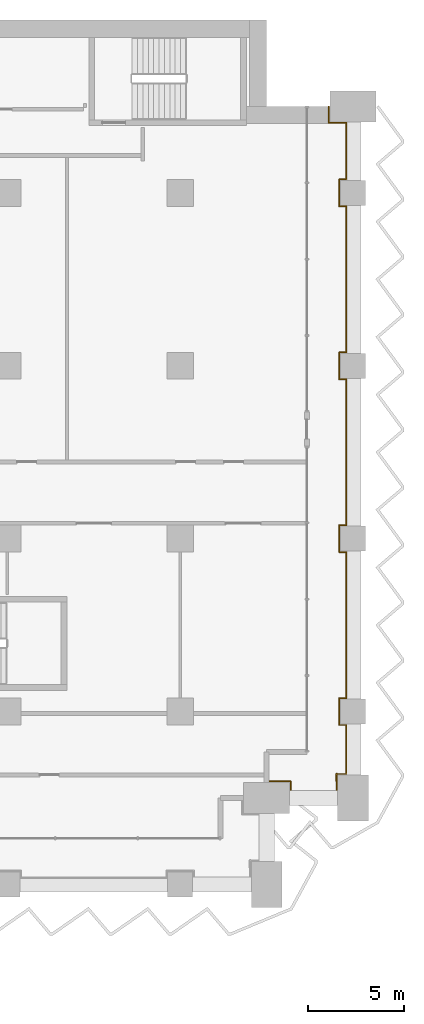
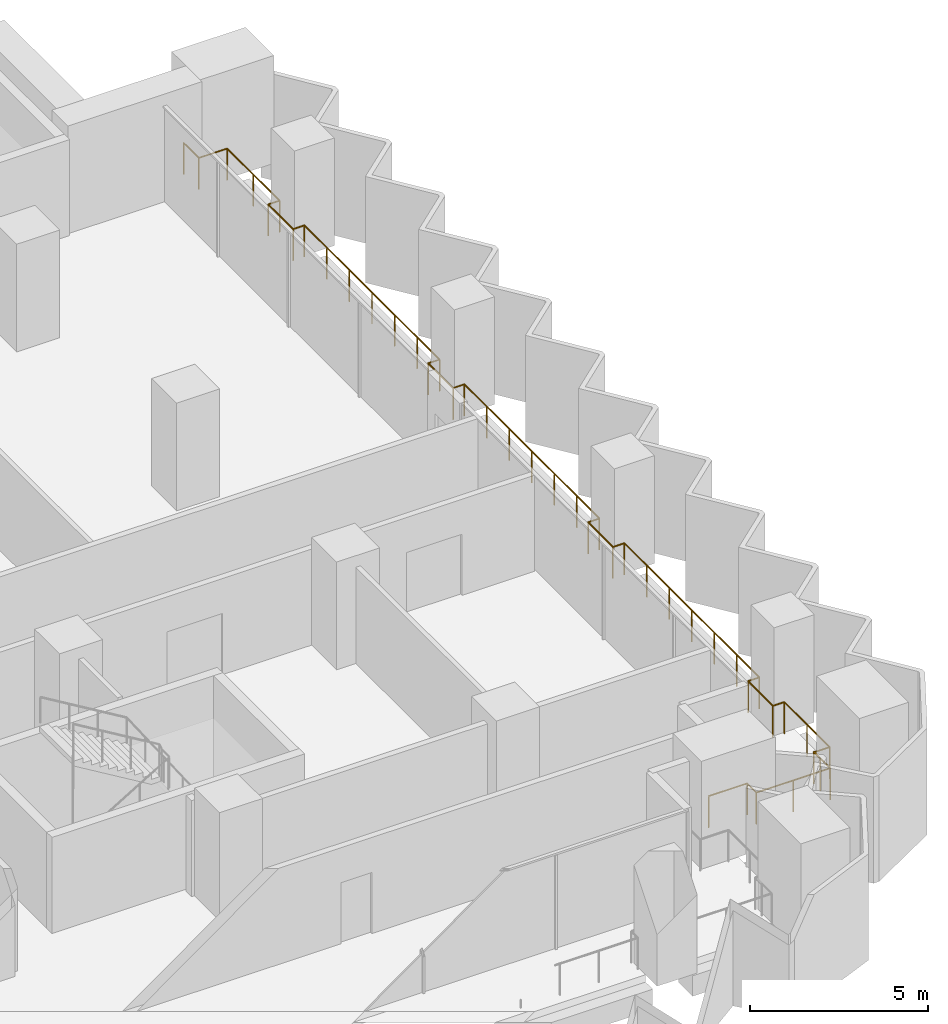
# One storey, part 29 of 29: 1 railing.
"""IFC4 building model written with IfcOpenShell, lengths in metres."""

from ifc_helpers import new_model, si_unit, direction, frame, origin, origin_2d, place, context, subcontext, project, spatial, circle, extrude, material, type_object, element, save


model = new_model("IFC4")

# Units and contexts
model_context = context("Model", 3, precision=1e-05, world=origin(), true_north=direction((0.0, 1.0)))
body_context = subcontext(model_context, "Body", "Model", "MODEL_VIEW")
ifc_project = project(units=[si_unit("LENGTHUNIT", "METRE"), si_unit("AREAUNIT", "SQUARE_METRE"), si_unit("VOLUMEUNIT", "CUBIC_METRE"), si_unit("PLANEANGLEUNIT", "RADIAN"), si_unit("MASSUNIT", "GRAM", prefix="KILO")], contexts=[model_context])

# Site, building, storey
site_placement = place(None, origin())
site = spatial("IfcSite", under=ifc_project, at=site_placement, CompositionType="ELEMENT")
building_placement = place(site_placement, origin())
building = spatial("IfcBuilding", under=site, at=building_placement, Name="Hunhe Ridgeline Campus", CompositionType="ELEMENT")
storey_placement = place(building_placement, frame((0.0, 0.0, 54.300048828125)))
storey = spatial("IfcBuildingStorey", under=building, at=storey_placement, Name="L12", CompositionType="ELEMENT", Elevation=54.300048828125)

# Railing
ifc_material = material(Name="Steel Q355", Category="steel")
railing_type = type_object("IfcRailingType", Name="Loggia guard 1100 Steel Q355", PredefinedType="GUARDRAIL", material=ifc_material)
railing_placement = place(storey_placement, frame((94.5, 59.3701171875, 0.0)))
element("IfcRailing", 1, at=railing_placement, inside=storey, type_object=railing_type, Name="Loggia guard 3", PredefinedType="GUARDRAIL", context=body_context, shape_type="SweptSolid", body=[
    extrude(circle(Radius=0.02392578125, at=origin_2d()), frame((0.0, 0.0, 1.076171875), z_axis=(1.0, 0.0, 0.0), x_axis=(0.0, 1.0, 0.0)), (0.0, 0.0, 1.0), 1.25),
    extrude(circle(Radius=0.02392578125, at=origin_2d()), frame((1.25, 0.0, 1.076171875), z_axis=(0.0, -1.0, 0.0), x_axis=(1.0, 0.0, 0.0)), (0.0, 0.0, 1.0), 0.52001953125),
    extrude(circle(Radius=0.02392578125, at=origin_2d()), frame((1.25, -0.52001953125, 1.076171875), z_axis=(1.0, 0.0, 0.0), x_axis=(0.0, 1.0, 0.0)), (0.0, 0.0, 1.0), 2.39990234375),
    extrude(circle(Radius=0.02392578125, at=origin_2d()), frame((3.64990234375, -0.52001953125, 1.076171875), z_axis=(0.0, 1.0, 0.0), x_axis=(-1.0, 0.0, 0.0)), (0.0, 0.0, 1.0), 0.919921875),
    extrude(circle(Radius=0.02392578125, at=origin_2d()), frame((3.64990234375, 0.39990234375, 1.076171875), z_axis=(-0.049998438503, -0.998749295943, 0.0), x_axis=(0.998749295943, -0.049998438503, 0.0)), (0.0, 0.0, 1.0), 0.400390625),
    extrude(circle(Radius=0.02392578125, at=origin_2d()), frame((3.6298828125, 0.0, 1.076171875), z_axis=(0.0, 1.0, 0.0), x_axis=(-1.0, 0.0, 0.0)), (0.0, 0.0, 1.0), 0.3798828125),
    extrude(circle(Radius=0.02392578125, at=origin_2d()), frame((3.6298828125, 0.3798828125, 1.076171875), z_axis=(1.0, 0.0, 0.0), x_axis=(0.0, 1.0, 0.0)), (0.0, 0.0, 1.0), 0.52001953125),
    extrude(circle(Radius=0.02392578125, at=origin_2d()), frame((4.14990234375, 0.3798828125, 1.076171875), z_axis=(0.0, 1.0, 0.0), x_axis=(-1.0, 0.0, 0.0)), (0.0, 0.0, 1.0), 2.550048828125),
    extrude(circle(Radius=0.02392578125, at=origin_2d()), frame((4.14990234375, 2.929931640625, 1.076171875), z_axis=(-1.0, 0.0, 0.0), x_axis=(0.0, -1.0, 0.0)), (0.0, 0.0, 1.0), 0.369873046875),
    extrude(circle(Radius=0.02392578125, at=origin_2d()), frame((3.780029296875, 2.929931640625, 1.076171875), z_axis=(0.0, 1.0, 0.0), x_axis=(-1.0, 0.0, 0.0)), (0.0, 0.0, 1.0), 1.39990234375),
    extrude(circle(Radius=0.02392578125, at=origin_2d()), frame((3.780029296875, 4.329833984375, 1.076171875), z_axis=(1.0, 0.0, 0.0), x_axis=(0.0, 1.0, 0.0)), (0.0, 0.0, 1.0), 0.369873046875),
    extrude(circle(Radius=0.02392578125, at=origin_2d()), frame((4.14990234375, 4.329833984375, 1.076171875), z_axis=(0.0, 1.0, 0.0), x_axis=(-1.0, 0.0, 0.0)), (0.0, 0.0, 1.0), 7.60009765625),
    extrude(circle(Radius=0.02392578125, at=origin_2d()), frame((4.14990234375, 11.929931640625, 1.076171875), z_axis=(-1.0, 0.0, 0.0), x_axis=(0.0, -1.0, 0.0)), (0.0, 0.0, 1.0), 0.369873046875),
    extrude(circle(Radius=0.02392578125, at=origin_2d()), frame((3.780029296875, 11.929931640625, 1.076171875), z_axis=(0.0, 1.0, 0.0), x_axis=(-1.0, 0.0, 0.0)), (0.0, 0.0, 1.0), 1.39990234375),
    extrude(circle(Radius=0.02392578125, at=origin_2d()), frame((3.780029296875, 13.329833984375, 1.076171875), z_axis=(1.0, 0.0, 0.0), x_axis=(0.0, 1.0, 0.0)), (0.0, 0.0, 1.0), 0.369873046875),
    extrude(circle(Radius=0.02392578125, at=origin_2d()), frame((4.14990234375, 13.329833984375, 1.076171875), z_axis=(0.0, 1.0, 0.0), x_axis=(-1.0, 0.0, 0.0)), (0.0, 0.0, 1.0), 7.60009765625),
    extrude(circle(Radius=0.02392578125, at=origin_2d()), frame((4.14990234375, 20.929931640625, 1.076171875), z_axis=(-1.0, 0.0, 0.0), x_axis=(0.0, -1.0, 0.0)), (0.0, 0.0, 1.0), 0.369873046875),
    extrude(circle(Radius=0.02392578125, at=origin_2d()), frame((3.780029296875, 20.929931640625, 1.076171875), z_axis=(0.0, 1.0, 0.0), x_axis=(-1.0, 0.0, 0.0)), (0.0, 0.0, 1.0), 1.39990234375),
    extrude(circle(Radius=0.02392578125, at=origin_2d()), frame((3.780029296875, 22.329833984375, 1.076171875), z_axis=(1.0, 0.0, 0.0), x_axis=(0.0, 1.0, 0.0)), (0.0, 0.0, 1.0), 0.369873046875),
    extrude(circle(Radius=0.02392578125, at=origin_2d()), frame((4.14990234375, 22.329833984375, 1.076171875), z_axis=(0.0, 1.0, 0.0), x_axis=(-1.0, 0.0, 0.0)), (0.0, 0.0, 1.0), 7.60009765625),
    extrude(circle(Radius=0.02392578125, at=origin_2d()), frame((4.14990234375, 29.929931640625, 1.076171875), z_axis=(-1.0, 0.0, 0.0), x_axis=(0.0, -1.0, 0.0)), (0.0, 0.0, 1.0), 0.369873046875),
    extrude(circle(Radius=0.02392578125, at=origin_2d()), frame((3.780029296875, 29.929931640625, 1.076171875), z_axis=(0.0, 1.0, 0.0), x_axis=(-1.0, 0.0, 0.0)), (0.0, 0.0, 1.0), 1.39990234375),
    extrude(circle(Radius=0.02392578125, at=origin_2d()), frame((3.780029296875, 31.329833984375, 1.076171875), z_axis=(1.0, 0.0, 0.0), x_axis=(0.0, 1.0, 0.0)), (0.0, 0.0, 1.0), 0.369873046875),
    extrude(circle(Radius=0.02392578125, at=origin_2d()), frame((4.14990234375, 31.329833984375, 1.076171875), z_axis=(0.0, 1.0, 0.0), x_axis=(-1.0, 0.0, 0.0)), (0.0, 0.0, 1.0), 2.949951171875),
    extrude(circle(Radius=0.02392578125, at=origin_2d()), frame((4.14990234375, 34.27978515625, 1.076171875), z_axis=(-1.0, 0.0, 0.0), x_axis=(0.0, -1.0, 0.0)), (0.0, 0.0, 1.0), 0.919921875),
    extrude(circle(Radius=0.02392578125, at=origin_2d()), frame((3.22998046875, 34.27978515625, 1.076171875), z_axis=(0.0, 1.0, 0.0), x_axis=(-1.0, 0.0, 0.0)), (0.0, 0.0, 1.0), 0.85009765625),
    extrude(circle(Radius=0.02099609375, at=origin_2d()), origin(), (0.0, 0.0, 1.0), 1.052001953125),
    extrude(circle(Radius=0.02099609375, at=origin_2d()), frame((1.25, 0.0, 0.0)), (0.0, 0.0, 1.0), 1.052001953125),
    extrude(circle(Radius=0.02099609375, at=origin_2d()), frame((1.25, -0.52001953125, 0.0)), (0.0, 0.0, 1.0), 1.052001953125),
    extrude(circle(Radius=0.02099609375, at=origin_2d()), frame((2.449951171875, -0.52001953125, 0.0)), (0.0, 0.0, 1.0), 1.052001953125),
    extrude(circle(Radius=0.02099609375, at=origin_2d()), frame((3.64990234375, -0.52001953125, 0.0)), (0.0, 0.0, 1.0), 1.052001953125),
    extrude(circle(Radius=0.02099609375, at=origin_2d()), frame((3.64990234375, 0.39990234375, 0.0)), (0.0, 0.0, 1.0), 1.052001953125),
    extrude(circle(Radius=0.02099609375, at=origin_2d()), frame((3.6298828125, 0.0, 0.0)), (0.0, 0.0, 1.0), 1.052001953125),
    extrude(circle(Radius=0.02099609375, at=origin_2d()), frame((3.6298828125, 0.3798828125, 0.0)), (0.0, 0.0, 1.0), 1.052001953125),
    extrude(circle(Radius=0.02099609375, at=origin_2d()), frame((4.14990234375, 0.3798828125, 0.0)), (0.0, 0.0, 1.0), 1.052001953125),
    extrude(circle(Radius=0.02099609375, at=origin_2d()), frame((4.14990234375, 1.65478515625, 0.0)), (0.0, 0.0, 1.0), 1.052001953125),
    extrude(circle(Radius=0.02099609375, at=origin_2d()), frame((4.14990234375, 2.929931640625, 0.0)), (0.0, 0.0, 1.0), 1.052001953125),
    extrude(circle(Radius=0.02099609375, at=origin_2d()), frame((3.780029296875, 2.929931640625, 0.0)), (0.0, 0.0, 1.0), 1.052001953125),
    extrude(circle(Radius=0.02099609375, at=origin_2d()), frame((3.780029296875, 4.329833984375, 0.0)), (0.0, 0.0, 1.0), 1.052001953125),
    extrude(circle(Radius=0.02099609375, at=origin_2d()), frame((4.14990234375, 4.329833984375, 0.0)), (0.0, 0.0, 1.0), 1.052001953125),
    extrude(circle(Radius=0.02099609375, at=origin_2d()), frame((4.14990234375, 5.596435546875, 0.0)), (0.0, 0.0, 1.0), 1.052001953125),
    extrude(circle(Radius=0.02099609375, at=origin_2d()), frame((4.14990234375, 6.86328125, 0.0)), (0.0, 0.0, 1.0), 1.052001953125),
    extrude(circle(Radius=0.02099609375, at=origin_2d()), frame((4.14990234375, 8.1298828125, 0.0)), (0.0, 0.0, 1.0), 1.052001953125),
    extrude(circle(Radius=0.02099609375, at=origin_2d()), frame((4.14990234375, 9.396484375, 0.0)), (0.0, 0.0, 1.0), 1.052001953125),
    extrude(circle(Radius=0.02099609375, at=origin_2d()), frame((4.14990234375, 10.663330078125, 0.0)), (0.0, 0.0, 1.0), 1.052001953125),
    extrude(circle(Radius=0.02099609375, at=origin_2d()), frame((4.14990234375, 11.929931640625, 0.0)), (0.0, 0.0, 1.0), 1.052001953125),
    extrude(circle(Radius=0.02099609375, at=origin_2d()), frame((3.780029296875, 11.929931640625, 0.0)), (0.0, 0.0, 1.0), 1.052001953125),
    extrude(circle(Radius=0.02099609375, at=origin_2d()), frame((3.780029296875, 13.329833984375, 0.0)), (0.0, 0.0, 1.0), 1.052001953125),
    extrude(circle(Radius=0.02099609375, at=origin_2d()), frame((4.14990234375, 13.329833984375, 0.0)), (0.0, 0.0, 1.0), 1.052001953125),
    extrude(circle(Radius=0.02099609375, at=origin_2d()), frame((4.14990234375, 14.596435546875, 0.0)), (0.0, 0.0, 1.0), 1.052001953125),
    extrude(circle(Radius=0.02099609375, at=origin_2d()), frame((4.14990234375, 15.86328125, 0.0)), (0.0, 0.0, 1.0), 1.052001953125),
    extrude(circle(Radius=0.02099609375, at=origin_2d()), frame((4.14990234375, 17.1298828125, 0.0)), (0.0, 0.0, 1.0), 1.052001953125),
    extrude(circle(Radius=0.02099609375, at=origin_2d()), frame((4.14990234375, 18.396484375, 0.0)), (0.0, 0.0, 1.0), 1.052001953125),
    extrude(circle(Radius=0.02099609375, at=origin_2d()), frame((4.14990234375, 19.663330078125, 0.0)), (0.0, 0.0, 1.0), 1.052001953125),
    extrude(circle(Radius=0.02099609375, at=origin_2d()), frame((4.14990234375, 20.929931640625, 0.0)), (0.0, 0.0, 1.0), 1.052001953125),
    extrude(circle(Radius=0.02099609375, at=origin_2d()), frame((3.780029296875, 20.929931640625, 0.0)), (0.0, 0.0, 1.0), 1.052001953125),
    extrude(circle(Radius=0.02099609375, at=origin_2d()), frame((3.780029296875, 22.329833984375, 0.0)), (0.0, 0.0, 1.0), 1.052001953125),
    extrude(circle(Radius=0.02099609375, at=origin_2d()), frame((4.14990234375, 22.329833984375, 0.0)), (0.0, 0.0, 1.0), 1.052001953125),
    extrude(circle(Radius=0.02099609375, at=origin_2d()), frame((4.14990234375, 23.596435546875, 0.0)), (0.0, 0.0, 1.0), 1.052001953125),
    extrude(circle(Radius=0.02099609375, at=origin_2d()), frame((4.14990234375, 24.86328125, 0.0)), (0.0, 0.0, 1.0), 1.052001953125),
    extrude(circle(Radius=0.02099609375, at=origin_2d()), frame((4.14990234375, 26.1298828125, 0.0)), (0.0, 0.0, 1.0), 1.052001953125),
    extrude(circle(Radius=0.02099609375, at=origin_2d()), frame((4.14990234375, 27.396484375, 0.0)), (0.0, 0.0, 1.0), 1.052001953125),
    extrude(circle(Radius=0.02099609375, at=origin_2d()), frame((4.14990234375, 28.663330078125, 0.0)), (0.0, 0.0, 1.0), 1.052001953125),
    extrude(circle(Radius=0.02099609375, at=origin_2d()), frame((4.14990234375, 29.929931640625, 0.0)), (0.0, 0.0, 1.0), 1.052001953125),
    extrude(circle(Radius=0.02099609375, at=origin_2d()), frame((3.780029296875, 29.929931640625, 0.0)), (0.0, 0.0, 1.0), 1.052001953125),
    extrude(circle(Radius=0.02099609375, at=origin_2d()), frame((3.780029296875, 31.329833984375, 0.0)), (0.0, 0.0, 1.0), 1.052001953125),
    extrude(circle(Radius=0.02099609375, at=origin_2d()), frame((4.14990234375, 31.329833984375, 0.0)), (0.0, 0.0, 1.0), 1.052001953125),
    extrude(circle(Radius=0.02099609375, at=origin_2d()), frame((4.14990234375, 32.8046875, 0.0)), (0.0, 0.0, 1.0), 1.052001953125),
    extrude(circle(Radius=0.02099609375, at=origin_2d()), frame((4.14990234375, 34.27978515625, 0.0)), (0.0, 0.0, 1.0), 1.052001953125),
    extrude(circle(Radius=0.02099609375, at=origin_2d()), frame((3.22998046875, 34.27978515625, 0.0)), (0.0, 0.0, 1.0), 1.052001953125),
    extrude(circle(Radius=0.02099609375, at=origin_2d()), frame((3.22998046875, 35.1298828125, 0.0)), (0.0, 0.0, 1.0), 1.052001953125),
])

save(model, "model.ifc")
